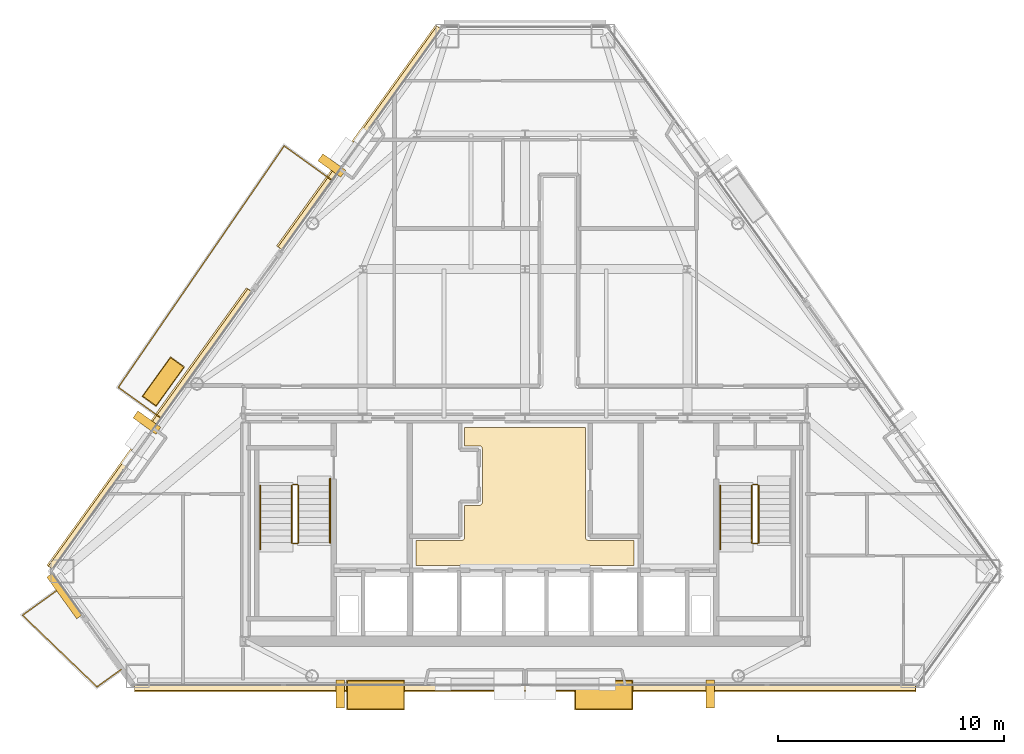
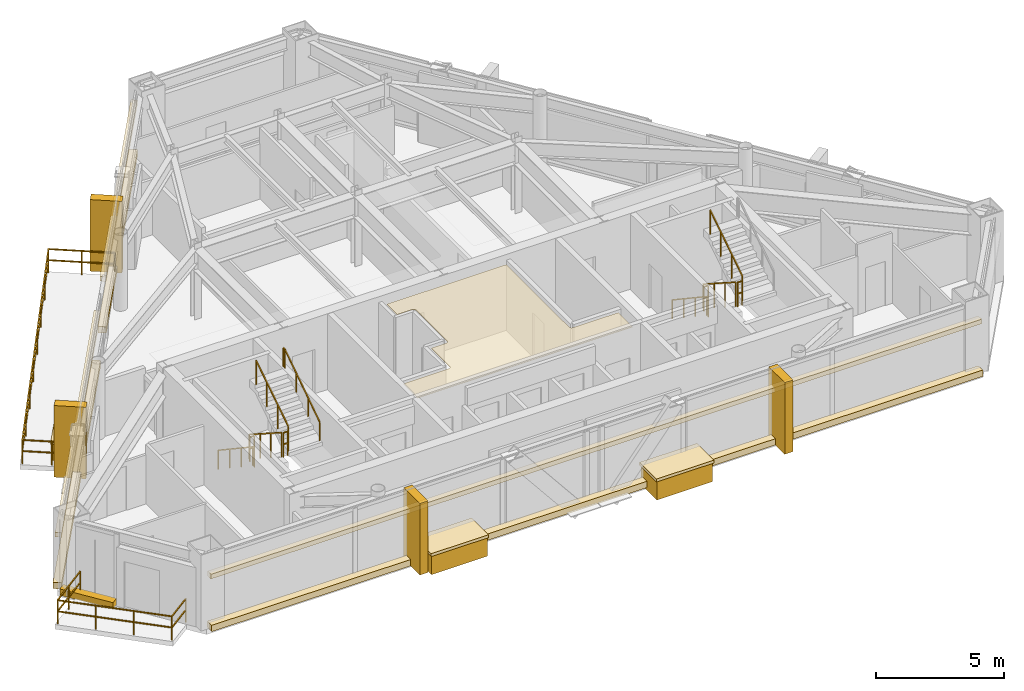
# One storey, part 11 of 12: 18 coverings, 13 railings.
"""IFC4 building model written with IfcOpenShell, lengths in metres."""

from ifc_helpers import new_model, si_unit, direction, frame, origin, origin_2d, place, context, subcontext, project, spatial, polyline, rectangle, outline, extrude, material, layer, layer_set, type_object, element, save


model = new_model("IFC4")

# Units and contexts
model_context = context("Model", 3, precision=1e-05, world=origin(), true_north=direction((0.0, 1.0)))
body_context = subcontext(model_context, "Body", "Model", "MODEL_VIEW")
ifc_project = project(units=[si_unit("LENGTHUNIT", "METRE"), si_unit("AREAUNIT", "SQUARE_METRE"), si_unit("VOLUMEUNIT", "CUBIC_METRE"), si_unit("PLANEANGLEUNIT", "RADIAN"), si_unit("MASSUNIT", "GRAM", prefix="KILO")], contexts=[model_context])

# Site, building, storey
site_placement = place(None, origin())
site = spatial("IfcSite", under=ifc_project, at=site_placement, CompositionType="ELEMENT")
building_placement = place(site_placement, origin())
building = spatial("IfcBuilding", under=site, at=building_placement, Name="Talgorran Terracotta Tower", CompositionType="ELEMENT")
storey_placement = place(building_placement, frame((0.0, 0.0, 189.300048828125)))
storey = spatial("IfcBuildingStorey", under=building, at=storey_placement, Name="L49", CompositionType="ELEMENT", Elevation=189.300048828125)

# Coverings
ifc_material_1 = material(Name="Kiln-Fired Terracotta Ochre Ceramic", Category="masonry")
ifc_layer_1 = layer(ifc_material_1, 0.179931640625, Name="COV_BAGUETTE_TERRACOTTA_SCREEN")
ifc_layer_set_1 = layer_set([ifc_layer_1], Name="Kiln-Fired Terracotta Ochre Ceramic")
covering_type_1 = type_object("IfcCoveringType", Name="COV_BAGUETTE_TERRACOTTA_SCREEN", PredefinedType="CLADDING", material=ifc_layer_set_1)
covering_1_placement = place(storey_placement, frame((0.0, -16.14111328125, 2.41015625), z_axis=(0.0, 0.0, 1.0), x_axis=(1.0, 0.0, 0.0)))
element("IfcCovering", 1, at=covering_1_placement, inside=storey, type_object=covering_type_1, Name="L49 Terracotta Baguette Solar Screen Assembly F1", PredefinedType="CLADDING", context=body_context, shape_type="SweptSolid", body=[
    extrude(rectangle(XDim=34.62939453125, YDim=0.260009765625, at=origin_2d()), origin(), (0.0, 0.0, 1.0), 0.219970703125),
])
covering_2_placement = place(storey_placement, frame((-7.324951171875, 8.21142578125, 2.41015625), z_axis=(0.0, 0.0, 1.0), x_axis=(-0.583980505394, -0.811767681864, 0.0)))
element("IfcCovering", 2, at=covering_2_placement, inside=storey, type_object=covering_type_1, Name="L49 Terracotta Baguette Solar Screen Assembly F60", PredefinedType="CLADDING", context=body_context, shape_type="SweptSolid", body=[
    extrude(rectangle(XDim=12.0634765625, YDim=0.260009765625, at=origin_2d()), origin(), (0.0, 0.0, 1.0), 0.219970703125),
])
covering_3_placement = place(storey_placement, frame((-16.6123046875, -4.6982421875, 2.41015625), z_axis=(0.0, 0.0, 1.0), x_axis=(-0.583980505394, -0.811767681864, 0.0)))
element("IfcCovering", 3, at=covering_3_placement, inside=storey, type_object=covering_type_1, Name="L49 Terracotta Baguette Solar Screen Assembly F61", PredefinedType="CLADDING", context=body_context, shape_type="SweptSolid", body=[
    extrude(rectangle(XDim=15.142822265625, YDim=0.260009765625, at=origin_2d()), origin(), (0.0, 0.0, 1.0), 0.219970703125),
])
ifc_material_2 = material(Name="Flush Moisture-Resistant Plaster")
ifc_layer_2 = layer(ifc_material_2, 0.01806640625, Name="COV_CEIL_PLASTER")
ifc_layer_set_2 = layer_set([ifc_layer_2], Name="Flush Moisture-Resistant Plaster")
covering_type_2 = type_object("IfcCoveringType", Name="COV_CEIL_PLASTER", PredefinedType="CEILING", material=ifc_layer_set_2)
covering_4_placement = place(storey_placement, frame((0.0, 0.0, 3.260009765625)))
element("IfcCovering", 4, at=covering_4_placement, inside=storey, type_object=covering_type_2, Name="CEIL-L49-1", PredefinedType="CEILING", context=body_context, shape_type="SweptSolid", body=[
    extrude(outline(polyline([(2.679931640625, -4.6201171875), (2.679931640625, -9.5), (2.6806640625, -9.51171875), (2.682373046875, -9.5234375), (2.685302734375, -9.534912109375), (2.689208984375, -9.5458984375), (2.694091796875, -9.556640625), (2.7001953125, -9.566650390625), (2.707275390625, -9.576171875), (2.715087890625, -9.5849609375), (2.723876953125, -9.5927734375), (2.7333984375, -9.599853515625), (2.743408203125, -9.605712890625), (2.754150390625, -9.61083984375), (2.76513671875, -9.61474609375), (2.776611328125, -9.61767578125), (2.7880859375, -9.619384765625), (2.800048828125, -9.6201171875), (4.830078125, -9.6201171875), (4.830078125, -10.72998046875), (-4.830078125, -10.72998046875), (-4.830078125, -9.6201171875), (-2.800048828125, -9.6201171875), (-2.7880859375, -9.619384765625), (-2.776611328125, -9.61767578125), (-2.76513671875, -9.61474609375), (-2.754150390625, -9.61083984375), (-2.743408203125, -9.605712890625), (-2.7333984375, -9.599853515625), (-2.723876953125, -9.5927734375), (-2.715087890625, -9.5849609375), (-2.707275390625, -9.576171875), (-2.7001953125, -9.566650390625), (-2.694091796875, -9.556640625), (-2.689208984375, -9.5458984375), (-2.685302734375, -9.534912109375), (-2.682373046875, -9.5234375), (-2.6806640625, -9.51171875), (-2.679931640625, -9.5), (-2.679931640625, -8.070068359375), (-2.02001953125, -8.070068359375), (-2.00830078125, -8.0693359375), (-1.99658203125, -8.067626953125), (-1.985107421875, -8.064697265625), (-1.97412109375, -8.060791015625), (-1.96337890625, -8.055908203125), (-1.953369140625, -8.0498046875), (-1.94384765625, -8.042724609375), (-1.93505859375, -8.034912109375), (-1.92724609375, -8.026123046875), (-1.920166015625, -8.0166015625), (-1.914306640625, -8.006591796875), (-1.9091796875, -7.995849609375), (-1.9052734375, -7.98486328125), (-1.90234375, -7.973388671875), (-1.900634765625, -7.9619140625), (-1.89990234375, -7.949951171875), (-1.89990234375, -5.550048828125), (-1.900634765625, -5.5380859375), (-1.90234375, -5.526611328125), (-1.9052734375, -5.51513671875), (-1.9091796875, -5.504150390625), (-1.914306640625, -5.493408203125), (-1.920166015625, -5.4833984375), (-1.92724609375, -5.473876953125), (-1.93505859375, -5.465087890625), (-1.94384765625, -5.457275390625), (-1.953369140625, -5.4501953125), (-1.96337890625, -5.444091796875), (-1.97412109375, -5.439208984375), (-1.985107421875, -5.435302734375), (-1.99658203125, -5.432373046875), (-2.00830078125, -5.4306640625), (-2.02001953125, -5.429931640625), (-2.679931640625, -5.429931640625), (-2.679931640625, -4.6201171875), (2.679931640625, -4.6201171875)])), origin(), (0.0, 0.0, 1.0), 0.02001953125),
])
ifc_material_3 = material(Name="Honed Limestone and Terracotta Planter", Category="masonry")
ifc_layer_3 = layer(ifc_material_3, 0.1201171875, Name="COV_PLANTER_BOX")
ifc_layer_set_3 = layer_set([ifc_layer_3], Name="Honed Limestone and Terracotta Planter")
covering_type_3 = type_object("IfcCoveringType", Name="COV_PLANTER_BOX", PredefinedType="CLADDING", material=ifc_layer_set_3)
for number, where, z_axis, x_axis, name in (
    (5, (3.4892578125, -16.481201171875, -0.179931640625), (0.0, 0.0, 1.0), (1.0, 0.0, 0.0), "L49 Staggered South Facade Planter Box 1"),
    (6, (-6.629638671875, -16.481201171875, -0.179931640625), (0.0, 0.0, 1.0), (1.0, 0.0, 0.0), "L49 Staggered South Facade Planter Box 2"),
):
    element("IfcCovering", number, at=place(storey_placement, frame(where, z_axis=z_axis, x_axis=x_axis)), inside=storey, type_object=covering_type_3, Name=name, PredefinedType="CLADDING", context=body_context, shape_type="SweptSolid", body=[
        extrude(rectangle(XDim=2.5, YDim=1.25, at=origin_2d()), origin(), (0.0, 0.0, 1.0), 0.919921875),
    ])
covering_5_placement = place(storey_placement, frame((-16.0419921875, -2.5869140625, -0.02001953125), z_axis=(0.0, 0.0, 1.0), x_axis=(-0.583980505394, -0.811767681864, 0.0)))
element("IfcCovering", 7, at=covering_5_placement, inside=storey, type_object=covering_type_3, Name="L49 Staggered Balcony Planter Box BAL-NW", PredefinedType="CLADDING", context=body_context, shape_type="SweptSolid", body=[
    extrude(rectangle(XDim=2.10009765625, YDim=0.719970703125, at=origin_2d()), origin(), (0.0, 0.0, 1.0), 0.860107421875),
])
ifc_material_4 = material(Name="Kiln-Fired Terracotta Planter Rim", Category="masonry")
ifc_layer_4 = layer(ifc_material_4, 0.10009765625, Name="COV_PLANTER_RIM")
ifc_layer_set_4 = layer_set([ifc_layer_4], Name="Kiln-Fired Terracotta Planter Rim")
covering_type_4 = type_object("IfcCoveringType", Name="COV_PLANTER_RIM", PredefinedType="CLADDING", material=ifc_layer_set_4)
for number, where, z_axis, x_axis, name in (
    (8, (3.4892578125, -16.481201171875, 0.7099609375), (0.0, 0.0, 1.0), (1.0, 0.0, 0.0), "L49 South Planter Terracotta Rim 1"),
    (9, (-6.629638671875, -16.481201171875, 0.7099609375), (0.0, 0.0, 1.0), (1.0, 0.0, 0.0), "L49 South Planter Terracotta Rim 2"),
):
    element("IfcCovering", number, at=place(storey_placement, frame(where, z_axis=z_axis, x_axis=x_axis)), inside=storey, type_object=covering_type_4, Name=name, PredefinedType="CLADDING", context=body_context, shape_type="SweptSolid", body=[
        extrude(rectangle(XDim=2.580078125, YDim=1.320068359375, at=origin_2d()), origin(), (0.0, 0.0, 1.0), 0.139892578125),
    ])
covering_6_placement = place(storey_placement, frame((-16.0419921875, -2.5869140625, 0.7998046875), z_axis=(0.0, 0.0, 1.0), x_axis=(-0.583980505394, -0.811767681864, 0.0)))
element("IfcCovering", 10, at=covering_6_placement, inside=storey, type_object=covering_type_4, Name="L49 Balcony Planter Terracotta Rim BAL-NW", PredefinedType="CLADDING", context=body_context, shape_type="SweptSolid", body=[
    extrude(rectangle(XDim=2.179931640625, YDim=0.780029296875, at=origin_2d()), origin(), (0.0, 0.0, 1.0), 0.1201171875),
])
ifc_material_5 = material(Name="Honed Limestone Cladding", Category="masonry")
ifc_layer_5 = layer(ifc_material_5, 0.094970703125, Name="COV_PORTAL_LIME")
ifc_layer_set_5 = layer_set([ifc_layer_5], Name="Honed Limestone Cladding")
covering_type_5 = type_object("IfcCoveringType", Name="COV_PORTAL_LIME", PredefinedType="CLADDING", material=ifc_layer_set_5)
for number, where, z_axis, x_axis, name in (
    (11, (-8.19970703125, -16.441162109375, -0.050048828125), (0.0, 0.0, 1.0), (1.0, 0.0, 0.0), "L49 White Striped Portal Fin F1-1"),
    (12, (-8.569091796875, 6.995849609375, -0.050048828125), (0.0, 0.0, 1.0), (-0.583980505394, -0.811767681864, 0.0), "L49 White Striped Portal Fin F5-1"),
):
    element("IfcCovering", number, at=place(storey_placement, frame(where, z_axis=z_axis, x_axis=x_axis)), inside=storey, type_object=covering_type_5, Name=name, PredefinedType="CLADDING", context=body_context, shape_type="SweptSolid", body=[
        extrude(rectangle(XDim=0.3798828125, YDim=1.25, at=origin_2d()), origin(), (0.0, 0.0, 1.0), 3.39990234375),
    ])
ifc_material_6 = material(Name="Kiln-Fired Terracotta Cladding", Category="masonry")
ifc_layer_6 = layer(ifc_material_6, 0.090087890625, Name="COV_PORTAL_TERRA")
ifc_layer_set_6 = layer_set([ifc_layer_6], Name="Kiln-Fired Terracotta Cladding")
covering_type_6 = type_object("IfcCoveringType", Name="COV_PORTAL_TERRA", PredefinedType="CLADDING", material=ifc_layer_set_6)
covering_7_placement = place(storey_placement, frame((-20.40771484375, -12.07861328125, -0.0400390625), z_axis=(0.0, 0.0, 1.0), x_axis=(0.583980505394, -0.811767681864, 0.0)))
element("IfcCovering", 13, at=covering_7_placement, inside=storey, type_object=covering_type_6, Name="L49 Striped Postmodern Portal Cladding Band F10", PredefinedType="CLADDING", context=body_context, shape_type="SweptSolid", body=[
    extrude(rectangle(XDim=2.275146484375, YDim=0.340087890625, at=origin_2d()), origin(), (0.0, 0.0, 1.0), 0.300048828125),
])
covering_8_placement = place(storey_placement, frame((0.0, -16.18115234375, -0.0400390625), z_axis=(0.0, 0.0, 1.0), x_axis=(1.0, 0.0, 0.0)))
element("IfcCovering", 14, at=covering_8_placement, inside=storey, type_object=covering_type_6, Name="L49 Striped Postmodern Portal Cladding Band F1", PredefinedType="CLADDING", context=body_context, shape_type="SweptSolid", body=[
    extrude(rectangle(XDim=34.6494140625, YDim=0.340087890625, at=origin_2d()), origin(), (0.0, 0.0, 1.0), 0.300048828125),
])
covering_9_placement = place(storey_placement, frame((-7.357421875, 8.23486328125, -0.0400390625), z_axis=(0.0, 0.0, 1.0), x_axis=(-0.583980505394, -0.811767681864, 0.0)))
element("IfcCovering", 15, at=covering_9_placement, inside=storey, type_object=covering_type_6, Name="L49 Striped Postmodern Portal Cladding Band F60", PredefinedType="CLADDING", context=body_context, shape_type="SweptSolid", body=[
    extrude(rectangle(XDim=12.08349609375, YDim=0.340087890625, at=origin_2d()), origin(), (0.0, 0.0, 1.0), 0.300048828125),
])
covering_10_placement = place(storey_placement, frame((-16.644775390625, -4.6748046875, -0.0400390625), z_axis=(0.0, 0.0, 1.0), x_axis=(-0.583980505394, -0.811767681864, 0.0)))
element("IfcCovering", 16, at=covering_10_placement, inside=storey, type_object=covering_type_6, Name="L49 Striped Postmodern Portal Cladding Band F61", PredefinedType="CLADDING", context=body_context, shape_type="SweptSolid", body=[
    extrude(rectangle(XDim=15.162841796875, YDim=0.340087890625, at=origin_2d()), origin(), (0.0, 0.0, 1.0), 0.300048828125),
])
for number, where, z_axis, x_axis, name in (
    (17, (8.19970703125, -16.441162109375, -0.050048828125), (0.0, 0.0, 1.0), (1.0, 0.0, 0.0), "L49 Terracotta Striped Portal Fin F1-2"),
    (18, (-16.768798828125, -4.402099609375, -0.050048828125), (0.0, 0.0, 1.0), (-0.583980505394, -0.811767681864, 0.0), "L49 Terracotta Striped Portal Fin F5-2"),
):
    element("IfcCovering", number, at=place(storey_placement, frame(where, z_axis=z_axis, x_axis=x_axis)), inside=storey, type_object=covering_type_6, Name=name, PredefinedType="CLADDING", context=body_context, shape_type="SweptSolid", body=[
        extrude(rectangle(XDim=0.3798828125, YDim=1.25, at=origin_2d()), origin(), (0.0, 0.0, 1.0), 3.39990234375),
    ])

# Railings
ifc_material_7 = material(Name="Laminated Glass and Stainless Steel 316", Category="steel")
railing_type_1 = type_object("IfcRailingType", Name="RL_BALCONY_1150", PredefinedType="BALUSTRADE", material=ifc_material_7)
railing_1_placement = place(storey_placement, frame((-8.569091796875, 6.34521484375, 0.0)))
element("IfcRailing", 19, at=railing_1_placement, inside=storey, type_object=railing_type_1, Name="RL-L49-BAL-BAL-NW", PredefinedType="BALUSTRADE", context=body_context, shape_type="SweptSolid", body=[
    extrude(rectangle(XDim=0.048095703125, YDim=0.048095703125, at=origin_2d()), frame((0.0, 0.0, 1.1259765625), z_axis=(-0.811740478886, 0.584018317296, 0.0), x_axis=(-0.584018317296, -0.811740478886, 0.0)), (0.0, 0.0, 1.0), 2.605224609375),
    extrude(rectangle(XDim=0.048095703125, YDim=0.048095703125, at=origin_2d()), frame((0.0, 0.0, 0.597900390625), z_axis=(-0.811740478886, 0.584018317296, 0.0), x_axis=(-0.584018317296, -0.811740478886, 0.0)), (0.0, 0.0, 1.0), 2.605224609375),
    extrude(rectangle(XDim=0.048095703125, YDim=0.048095703125, at=origin_2d()), frame((-2.11474609375, 1.521484375, 1.1259765625), z_axis=(-0.566164184219, -0.824292494511, 0.0), x_axis=(0.824292494511, -0.566164184219, 0.0)), (0.0, 0.0, 1.0), 12.98779296875),
    extrude(rectangle(XDim=0.048095703125, YDim=0.048095703125, at=origin_2d()), frame((-2.11474609375, 1.521484375, 0.597900390625), z_axis=(-0.566164184219, -0.824292494511, 0.0), x_axis=(0.824292494511, -0.566164184219, 0.0)), (0.0, 0.0, 1.0), 12.98779296875),
    extrude(rectangle(XDim=0.048095703125, YDim=0.048095703125, at=origin_2d()), frame((-9.468017578125, -9.184326171875, 1.1259765625), z_axis=(0.811775539215, -0.583969583054, 0.0), x_axis=(0.583969583054, 0.811775539215, 0.0)), (0.0, 0.0, 1.0), 2.322265625),
    extrude(rectangle(XDim=0.048095703125, YDim=0.048095703125, at=origin_2d()), frame((-9.468017578125, -9.184326171875, 0.597900390625), z_axis=(0.811775539215, -0.583969583054, 0.0), x_axis=(0.583969583054, 0.811775539215, 0.0)), (0.0, 0.0, 1.0), 2.322265625),
    extrude(rectangle(XDim=0.0419921875, YDim=0.0419921875, at=origin_2d()), origin(), (0.0, 0.0, 1.0), 1.101806640625),
    extrude(rectangle(XDim=0.0419921875, YDim=0.0419921875, at=origin_2d()), frame((-1.057373046875, 0.7607421875, 0.0)), (0.0, 0.0, 1.0), 1.101806640625),
    extrude(rectangle(XDim=0.0419921875, YDim=0.0419921875, at=origin_2d()), frame((-2.11474609375, 1.521484375, 0.0)), (0.0, 0.0, 1.0), 1.101806640625),
    extrude(rectangle(XDim=0.0419921875, YDim=0.0419921875, at=origin_2d()), frame((-3.165283203125, -0.0078125, 0.0)), (0.0, 0.0, 1.0), 1.101806640625),
    extrude(rectangle(XDim=0.0419921875, YDim=0.0419921875, at=origin_2d()), frame((-4.215576171875, -1.537353515625, 0.0)), (0.0, 0.0, 1.0), 1.101806640625),
    extrude(rectangle(XDim=0.0419921875, YDim=0.0419921875, at=origin_2d()), frame((-5.26611328125, -3.066650390625, 0.0)), (0.0, 0.0, 1.0), 1.101806640625),
    extrude(rectangle(XDim=0.0419921875, YDim=0.0419921875, at=origin_2d()), frame((-6.316650390625, -4.59619140625, 0.0)), (0.0, 0.0, 1.0), 1.101806640625),
    extrude(rectangle(XDim=0.0419921875, YDim=0.0419921875, at=origin_2d()), frame((-7.3671875, -6.12548828125, 0.0)), (0.0, 0.0, 1.0), 1.101806640625),
    extrude(rectangle(XDim=0.0419921875, YDim=0.0419921875, at=origin_2d()), frame((-8.41748046875, -7.655029296875, 0.0)), (0.0, 0.0, 1.0), 1.101806640625),
    extrude(rectangle(XDim=0.0419921875, YDim=0.0419921875, at=origin_2d()), frame((-9.468017578125, -9.184326171875, 0.0)), (0.0, 0.0, 1.0), 1.101806640625),
    extrude(rectangle(XDim=0.0419921875, YDim=0.0419921875, at=origin_2d()), frame((-8.525390625, -9.8623046875, 0.0)), (0.0, 0.0, 1.0), 1.101806640625),
    extrude(rectangle(XDim=0.0419921875, YDim=0.0419921875, at=origin_2d()), frame((-7.582763671875, -10.54052734375, 0.0)), (0.0, 0.0, 1.0), 1.101806640625),
])
railing_2_placement = place(storey_placement, frame((-20.540283203125, -11.688720703125, 0.0)))
element("IfcRailing", 20, at=railing_2_placement, inside=storey, type_object=railing_type_1, Name="RL-L49-BAL-BAL-SW", PredefinedType="BALUSTRADE", context=body_context, shape_type="SweptSolid", body=[
    extrude(rectangle(XDim=0.048095703125, YDim=0.048095703125, at=origin_2d()), frame((0.0, 0.0, 1.1259765625), z_axis=(-0.811786435342, -0.583954436061, 0.0), x_axis=(0.583954436061, -0.811786435342, 0.0)), (0.0, 0.0, 1.0), 2.1484375),
    extrude(rectangle(XDim=0.048095703125, YDim=0.048095703125, at=origin_2d()), frame((0.0, 0.0, 0.597900390625), z_axis=(-0.811786435342, -0.583954436061, 0.0), x_axis=(0.583954436061, -0.811786435342, 0.0)), (0.0, 0.0, 1.0), 2.1484375),
    extrude(rectangle(XDim=0.048095703125, YDim=0.048095703125, at=origin_2d()), frame((-1.744140625, -1.254638671875, 1.1259765625), z_axis=(0.720822827334, -0.693119363165, 0.0), x_axis=(0.693119363165, 0.720822827334, 0.0)), (0.0, 0.0, 1.0), 4.58251953125),
    extrude(rectangle(XDim=0.048095703125, YDim=0.048095703125, at=origin_2d()), frame((-1.744140625, -1.254638671875, 0.597900390625), z_axis=(0.720822827334, -0.693119363165, 0.0), x_axis=(0.693119363165, 0.720822827334, 0.0)), (0.0, 0.0, 1.0), 4.58251953125),
    extrude(rectangle(XDim=0.048095703125, YDim=0.048095703125, at=origin_2d()), frame((1.55908203125, -4.430908203125, 1.1259765625), z_axis=(0.811832041418, 0.583891031381, 0.0), x_axis=(-0.583891031381, 0.811832041418, 0.0)), (0.0, 0.0, 1.0), 1.32177734375),
    extrude(rectangle(XDim=0.048095703125, YDim=0.048095703125, at=origin_2d()), frame((1.55908203125, -4.430908203125, 0.597900390625), z_axis=(0.811832041418, 0.583891031381, 0.0), x_axis=(-0.583891031381, 0.811832041418, 0.0)), (0.0, 0.0, 1.0), 1.32177734375),
    extrude(rectangle(XDim=0.0419921875, YDim=0.0419921875, at=origin_2d()), origin(), (0.0, 0.0, 1.0), 1.101806640625),
    extrude(rectangle(XDim=0.0419921875, YDim=0.0419921875, at=origin_2d()), frame((-0.8720703125, -0.62744140625, 0.0)), (0.0, 0.0, 1.0), 1.101806640625),
    extrude(rectangle(XDim=0.0419921875, YDim=0.0419921875, at=origin_2d()), frame((-1.744140625, -1.254638671875, 0.0)), (0.0, 0.0, 1.0), 1.101806640625),
    extrude(rectangle(XDim=0.0419921875, YDim=0.0419921875, at=origin_2d()), frame((-0.64306640625, -2.3134765625, 0.0)), (0.0, 0.0, 1.0), 1.101806640625),
    extrude(rectangle(XDim=0.0419921875, YDim=0.0419921875, at=origin_2d()), frame((0.4580078125, -3.3720703125, 0.0)), (0.0, 0.0, 1.0), 1.101806640625),
    extrude(rectangle(XDim=0.0419921875, YDim=0.0419921875, at=origin_2d()), frame((1.55908203125, -4.430908203125, 0.0)), (0.0, 0.0, 1.0), 1.101806640625),
    extrude(rectangle(XDim=0.0419921875, YDim=0.0419921875, at=origin_2d()), frame((2.632080078125, -3.6591796875, 0.0)), (0.0, 0.0, 1.0), 1.101806640625),
])
ifc_material_8 = material(Name="Steel S355 (300PLUS)", Category="steel")
railing_type_2 = type_object("IfcRailingType", Name="RL_HANDRAIL_920", PredefinedType="HANDRAIL", material=ifc_material_8)
railing_3_placement = place(storey_placement, frame((-11.75, -7.199951171875, 0.179931640625)))
element("IfcRailing", 21, at=railing_3_placement, inside=storey, type_object=railing_type_2, Name="L49 ST-01 stair handrail 1", PredefinedType="HANDRAIL", context=body_context, shape_type="SweptSolid", body=[
    extrude(rectangle(XDim=0.048095703125, YDim=0.048095703125, at=origin_2d()), frame((0.0, 0.0, 0.89599609375), z_axis=(0.0, -0.832038719335, 0.554717558338), x_axis=(1.0, 0.0, 0.0)), (0.0, 0.0, 1.0), 3.244873046875),
    extrude(rectangle(XDim=0.048095703125, YDim=0.048095703125, at=origin_2d()), frame((0.0, -2.699951171875, 2.69580078125), z_axis=(0.0, -1.0, 0.0), x_axis=(1.0, 0.0, 0.0)), (0.0, 0.0, 1.0), 0.1201171875),
    extrude(rectangle(XDim=0.0419921875, YDim=0.0419921875, at=origin_2d()), origin(), (0.0, 0.0, 1.0), 0.871826171875),
    extrude(rectangle(XDim=0.0419921875, YDim=0.0419921875, at=origin_2d()), frame((0.0, -0.89990234375, 0.60009765625)), (0.0, 0.0, 1.0), 0.871826171875),
    extrude(rectangle(XDim=0.0419921875, YDim=0.0419921875, at=origin_2d()), frame((0.0, -1.800048828125, 1.199951171875)), (0.0, 0.0, 1.0), 0.871826171875),
    extrude(rectangle(XDim=0.0419921875, YDim=0.0419921875, at=origin_2d()), frame((0.0, -2.699951171875, 1.800048828125)), (0.0, 0.0, 1.0), 0.871826171875),
    extrude(rectangle(XDim=0.0419921875, YDim=0.0419921875, at=origin_2d()), frame((0.0, -2.820068359375, 1.800048828125)), (0.0, 0.0, 1.0), 0.871826171875),
])
railing_4_placement = place(storey_placement, frame((-8.64990234375, -9.719970703125, 1.97998046875)))
element("IfcRailing", 22, at=railing_4_placement, inside=storey, type_object=railing_type_2, Name="L49 ST-01 stair handrail 2", PredefinedType="HANDRAIL", context=body_context, shape_type="SweptSolid", body=[
    extrude(rectangle(XDim=0.048095703125, YDim=0.048095703125, at=origin_2d()), frame((0.0, 0.0, 0.89599609375), z_axis=(0.0, 0.832038719335, 0.554717558338), x_axis=(-1.0, 0.0, 0.0)), (0.0, 0.0, 1.0), 3.244873046875),
    extrude(rectangle(XDim=0.048095703125, YDim=0.048095703125, at=origin_2d()), frame((0.0, 2.699951171875, 2.69580078125), z_axis=(0.0, 1.0, 0.0), x_axis=(-1.0, 0.0, 0.0)), (0.0, 0.0, 1.0), 0.1201171875),
    extrude(rectangle(XDim=0.0419921875, YDim=0.0419921875, at=origin_2d()), origin(), (0.0, 0.0, 1.0), 0.871826171875),
    extrude(rectangle(XDim=0.0419921875, YDim=0.0419921875, at=origin_2d()), frame((0.0, 0.89990234375, 0.60009765625)), (0.0, 0.0, 1.0), 0.871826171875),
    extrude(rectangle(XDim=0.0419921875, YDim=0.0419921875, at=origin_2d()), frame((0.0, 1.800048828125, 1.199951171875)), (0.0, 0.0, 1.0), 0.871826171875),
    extrude(rectangle(XDim=0.0419921875, YDim=0.0419921875, at=origin_2d()), frame((0.0, 2.699951171875, 1.800048828125)), (0.0, 0.0, 1.0), 0.871826171875),
    extrude(rectangle(XDim=0.0419921875, YDim=0.0419921875, at=origin_2d()), frame((0.0, 2.820068359375, 1.800048828125)), (0.0, 0.0, 1.0), 0.871826171875),
])
railing_5_placement = place(storey_placement, frame((8.64990234375, -7.199951171875, 0.179931640625)))
element("IfcRailing", 23, at=railing_5_placement, inside=storey, type_object=railing_type_2, Name="L49 ST-02 stair handrail 1", PredefinedType="HANDRAIL", context=body_context, shape_type="SweptSolid", body=[
    extrude(rectangle(XDim=0.048095703125, YDim=0.048095703125, at=origin_2d()), frame((0.0, 0.0, 0.89599609375), z_axis=(0.0, -0.832038719335, 0.554717558338), x_axis=(1.0, 0.0, 0.0)), (0.0, 0.0, 1.0), 3.244873046875),
    extrude(rectangle(XDim=0.048095703125, YDim=0.048095703125, at=origin_2d()), frame((0.0, -2.699951171875, 2.69580078125), z_axis=(0.0, -1.0, 0.0), x_axis=(1.0, 0.0, 0.0)), (0.0, 0.0, 1.0), 0.1201171875),
    extrude(rectangle(XDim=0.0419921875, YDim=0.0419921875, at=origin_2d()), origin(), (0.0, 0.0, 1.0), 0.871826171875),
    extrude(rectangle(XDim=0.0419921875, YDim=0.0419921875, at=origin_2d()), frame((0.0, -0.89990234375, 0.60009765625)), (0.0, 0.0, 1.0), 0.871826171875),
    extrude(rectangle(XDim=0.0419921875, YDim=0.0419921875, at=origin_2d()), frame((0.0, -1.800048828125, 1.199951171875)), (0.0, 0.0, 1.0), 0.871826171875),
    extrude(rectangle(XDim=0.0419921875, YDim=0.0419921875, at=origin_2d()), frame((0.0, -2.699951171875, 1.800048828125)), (0.0, 0.0, 1.0), 0.871826171875),
    extrude(rectangle(XDim=0.0419921875, YDim=0.0419921875, at=origin_2d()), frame((0.0, -2.820068359375, 1.800048828125)), (0.0, 0.0, 1.0), 0.871826171875),
])
railing_type_3 = type_object("IfcRailingType", Name="RL_STAIR_GUARD", PredefinedType="GUARDRAIL", material=ifc_material_8)
railing_6_placement = place(storey_placement, frame((-10.35009765625, -7.199951171875, 0.179931640625)))
element("IfcRailing", 24, at=railing_6_placement, inside=storey, type_object=railing_type_3, Name="L49 ST-01 stair guard 1", PredefinedType="GUARDRAIL", context=body_context, shape_type="SweptSolid", body=[
    extrude(rectangle(XDim=0.048095703125, YDim=0.048095703125, at=origin_2d()), frame((0.0, 0.0, 1.15576171875), z_axis=(0.0, -0.841162588446, 0.540782303519), x_axis=(1.0, 0.0, 0.0)), (0.0, 0.0, 1.0), 2.995849609375),
    extrude(rectangle(XDim=0.0419921875, YDim=0.0419921875, at=origin_2d()), origin(), (0.0, 0.0, 1.0), 1.1318359375),
    extrude(rectangle(XDim=0.0419921875, YDim=0.0419921875, at=origin_2d()), frame((0.0, -0.840087890625, 0.5400390625)), (0.0, 0.0, 1.0), 1.1318359375),
    extrude(rectangle(XDim=0.0419921875, YDim=0.0419921875, at=origin_2d()), frame((0.0, -1.679931640625, 1.080078125)), (0.0, 0.0, 1.0), 1.1318359375),
    extrude(rectangle(XDim=0.0419921875, YDim=0.0419921875, at=origin_2d()), frame((0.0, -2.52001953125, 1.6201171875)), (0.0, 0.0, 1.0), 1.1318359375),
])
railing_7_placement = place(storey_placement, frame((-10.300048828125, -9.77001953125, 1.800048828125)))
element("IfcRailing", 25, at=railing_7_placement, inside=storey, type_object=railing_type_3, Name="L49 ST-01 stair guard 2", PredefinedType="GUARDRAIL", context=body_context, shape_type="SweptSolid", body=[
    extrude(rectangle(XDim=0.048095703125, YDim=0.048095703125, at=origin_2d()), frame((0.0, 0.0, 1.15576171875), z_axis=(1.0, 0.0, 0.0), x_axis=(0.0, 1.0, 0.0)), (0.0, 0.0, 1.0), 0.199951171875),
    extrude(rectangle(XDim=0.048095703125, YDim=0.048095703125, at=origin_2d()), frame((0.0, 0.0, 0.613525390625), z_axis=(1.0, 0.0, 0.0), x_axis=(0.0, 1.0, 0.0)), (0.0, 0.0, 1.0), 0.199951171875),
    extrude(rectangle(XDim=0.0419921875, YDim=0.0419921875, at=origin_2d()), origin(), (0.0, 0.0, 1.0), 1.1318359375),
    extrude(rectangle(XDim=0.0419921875, YDim=0.0419921875, at=origin_2d()), frame((0.199951171875, 0.0, 0.0)), (0.0, 0.0, 1.0), 1.1318359375),
])
railing_8_placement = place(storey_placement, frame((-10.050048828125, -9.719970703125, 1.97998046875)))
element("IfcRailing", 26, at=railing_8_placement, inside=storey, type_object=railing_type_3, Name="L49 ST-01 stair guard 3", PredefinedType="GUARDRAIL", context=body_context, shape_type="SweptSolid", body=[
    extrude(rectangle(XDim=0.048095703125, YDim=0.048095703125, at=origin_2d()), frame((0.0, 0.0, 1.15576171875), z_axis=(0.0, 0.841199657755, 0.540724639528), x_axis=(-1.0, 0.0, 0.0)), (0.0, 0.0, 1.0), 2.995849609375),
    extrude(rectangle(XDim=0.0419921875, YDim=0.0419921875, at=origin_2d()), origin(), (0.0, 0.0, 1.0), 1.1318359375),
    extrude(rectangle(XDim=0.0419921875, YDim=0.0419921875, at=origin_2d()), frame((0.0, 0.840087890625, 0.5400390625)), (0.0, 0.0, 1.0), 1.1318359375),
    extrude(rectangle(XDim=0.0419921875, YDim=0.0419921875, at=origin_2d()), frame((0.0, 1.679931640625, 1.079833984375)), (0.0, 0.0, 1.0), 1.1318359375),
    extrude(rectangle(XDim=0.0419921875, YDim=0.0419921875, at=origin_2d()), frame((0.0, 2.52001953125, 1.619873046875)), (0.0, 0.0, 1.0), 1.1318359375),
])
railing_9_placement = place(storey_placement, frame((-10.300048828125, -7.14990234375, 0.0)))
element("IfcRailing", 27, at=railing_9_placement, inside=storey, type_object=railing_type_3, Name="L49 ST-01 stair guard 4", PredefinedType="GUARDRAIL", context=body_context, shape_type="SweptSolid", body=[
    extrude(rectangle(XDim=0.048095703125, YDim=0.048095703125, at=origin_2d()), frame((0.0, 0.0, 1.15576171875), z_axis=(1.0, 0.0, 0.0), x_axis=(0.0, 1.0, 0.0)), (0.0, 0.0, 1.0), 0.199951171875),
    extrude(rectangle(XDim=0.048095703125, YDim=0.048095703125, at=origin_2d()), frame((0.0, 0.0, 0.613525390625), z_axis=(1.0, 0.0, 0.0), x_axis=(0.0, 1.0, 0.0)), (0.0, 0.0, 1.0), 0.199951171875),
    extrude(rectangle(XDim=0.0419921875, YDim=0.0419921875, at=origin_2d()), origin(), (0.0, 0.0, 1.0), 1.1318359375),
    extrude(rectangle(XDim=0.0419921875, YDim=0.0419921875, at=origin_2d()), frame((0.199951171875, 0.0, 0.0)), (0.0, 0.0, 1.0), 1.1318359375),
])
railing_10_placement = place(storey_placement, frame((10.050048828125, -7.199951171875, 0.179931640625)))
element("IfcRailing", 28, at=railing_10_placement, inside=storey, type_object=railing_type_3, Name="L49 ST-02 stair guard 1", PredefinedType="GUARDRAIL", context=body_context, shape_type="SweptSolid", body=[
    extrude(rectangle(XDim=0.048095703125, YDim=0.048095703125, at=origin_2d()), frame((0.0, 0.0, 1.15576171875), z_axis=(0.0, -0.841162588446, 0.540782303519), x_axis=(1.0, 0.0, 0.0)), (0.0, 0.0, 1.0), 2.995849609375),
    extrude(rectangle(XDim=0.0419921875, YDim=0.0419921875, at=origin_2d()), origin(), (0.0, 0.0, 1.0), 1.1318359375),
    extrude(rectangle(XDim=0.0419921875, YDim=0.0419921875, at=origin_2d()), frame((0.0, -0.840087890625, 0.5400390625)), (0.0, 0.0, 1.0), 1.1318359375),
    extrude(rectangle(XDim=0.0419921875, YDim=0.0419921875, at=origin_2d()), frame((0.0, -1.679931640625, 1.080078125)), (0.0, 0.0, 1.0), 1.1318359375),
    extrude(rectangle(XDim=0.0419921875, YDim=0.0419921875, at=origin_2d()), frame((0.0, -2.52001953125, 1.6201171875)), (0.0, 0.0, 1.0), 1.1318359375),
])
railing_11_placement = place(storey_placement, frame((10.10009765625, -9.77001953125, 1.800048828125)))
element("IfcRailing", 29, at=railing_11_placement, inside=storey, type_object=railing_type_3, Name="L49 ST-02 stair guard 2", PredefinedType="GUARDRAIL", context=body_context, shape_type="SweptSolid", body=[
    extrude(rectangle(XDim=0.048095703125, YDim=0.048095703125, at=origin_2d()), frame((0.0, 0.0, 1.15576171875), z_axis=(1.0, 0.0, 0.0), x_axis=(0.0, 1.0, 0.0)), (0.0, 0.0, 1.0), 0.199951171875),
    extrude(rectangle(XDim=0.048095703125, YDim=0.048095703125, at=origin_2d()), frame((0.0, 0.0, 0.613525390625), z_axis=(1.0, 0.0, 0.0), x_axis=(0.0, 1.0, 0.0)), (0.0, 0.0, 1.0), 0.199951171875),
    extrude(rectangle(XDim=0.0419921875, YDim=0.0419921875, at=origin_2d()), origin(), (0.0, 0.0, 1.0), 1.1318359375),
    extrude(rectangle(XDim=0.0419921875, YDim=0.0419921875, at=origin_2d()), frame((0.199951171875, 0.0, 0.0)), (0.0, 0.0, 1.0), 1.1318359375),
])
railing_12_placement = place(storey_placement, frame((10.35009765625, -9.719970703125, 1.97998046875)))
element("IfcRailing", 30, at=railing_12_placement, inside=storey, type_object=railing_type_3, Name="L49 ST-02 stair guard 3", PredefinedType="GUARDRAIL", context=body_context, shape_type="SweptSolid", body=[
    extrude(rectangle(XDim=0.048095703125, YDim=0.048095703125, at=origin_2d()), frame((0.0, 0.0, 1.15576171875), z_axis=(0.0, 0.841199657755, 0.540724639528), x_axis=(-1.0, 0.0, 0.0)), (0.0, 0.0, 1.0), 2.995849609375),
    extrude(rectangle(XDim=0.0419921875, YDim=0.0419921875, at=origin_2d()), origin(), (0.0, 0.0, 1.0), 1.1318359375),
    extrude(rectangle(XDim=0.0419921875, YDim=0.0419921875, at=origin_2d()), frame((0.0, 0.840087890625, 0.5400390625)), (0.0, 0.0, 1.0), 1.1318359375),
    extrude(rectangle(XDim=0.0419921875, YDim=0.0419921875, at=origin_2d()), frame((0.0, 1.679931640625, 1.079833984375)), (0.0, 0.0, 1.0), 1.1318359375),
    extrude(rectangle(XDim=0.0419921875, YDim=0.0419921875, at=origin_2d()), frame((0.0, 2.52001953125, 1.619873046875)), (0.0, 0.0, 1.0), 1.1318359375),
])
railing_13_placement = place(storey_placement, frame((10.10009765625, -7.14990234375, 0.0)))
element("IfcRailing", 31, at=railing_13_placement, inside=storey, type_object=railing_type_3, Name="L49 ST-02 stair guard 4", PredefinedType="GUARDRAIL", context=body_context, shape_type="SweptSolid", body=[
    extrude(rectangle(XDim=0.048095703125, YDim=0.048095703125, at=origin_2d()), frame((0.0, 0.0, 1.15576171875), z_axis=(1.0, 0.0, 0.0), x_axis=(0.0, 1.0, 0.0)), (0.0, 0.0, 1.0), 0.199951171875),
    extrude(rectangle(XDim=0.048095703125, YDim=0.048095703125, at=origin_2d()), frame((0.0, 0.0, 0.613525390625), z_axis=(1.0, 0.0, 0.0), x_axis=(0.0, 1.0, 0.0)), (0.0, 0.0, 1.0), 0.199951171875),
    extrude(rectangle(XDim=0.0419921875, YDim=0.0419921875, at=origin_2d()), origin(), (0.0, 0.0, 1.0), 1.1318359375),
    extrude(rectangle(XDim=0.0419921875, YDim=0.0419921875, at=origin_2d()), frame((0.199951171875, 0.0, 0.0)), (0.0, 0.0, 1.0), 1.1318359375),
])

save(model, "model.ifc")
